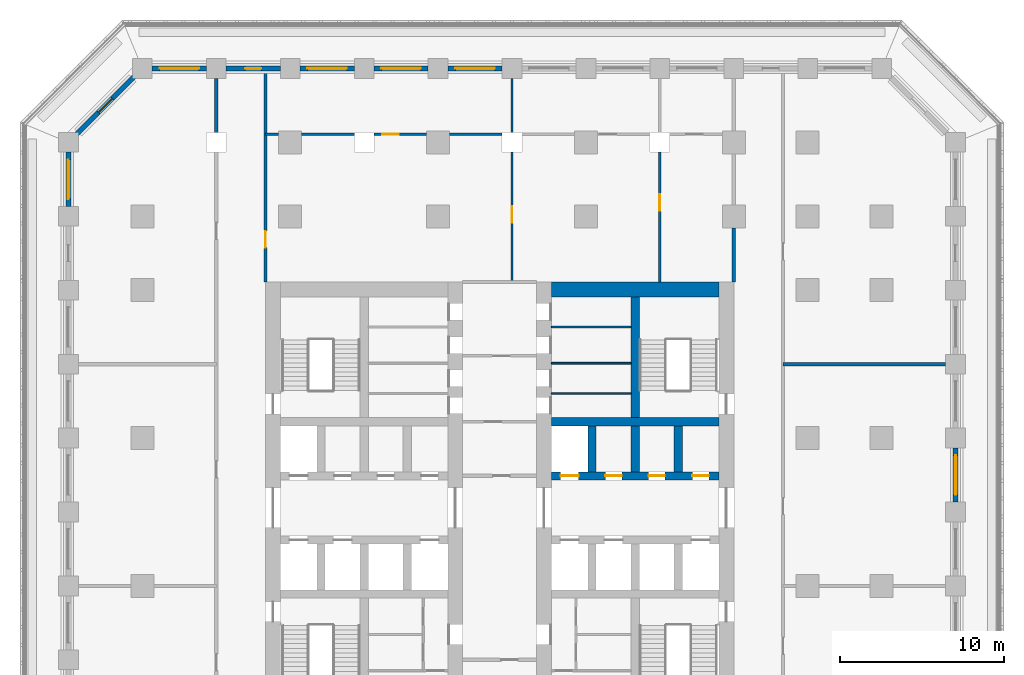
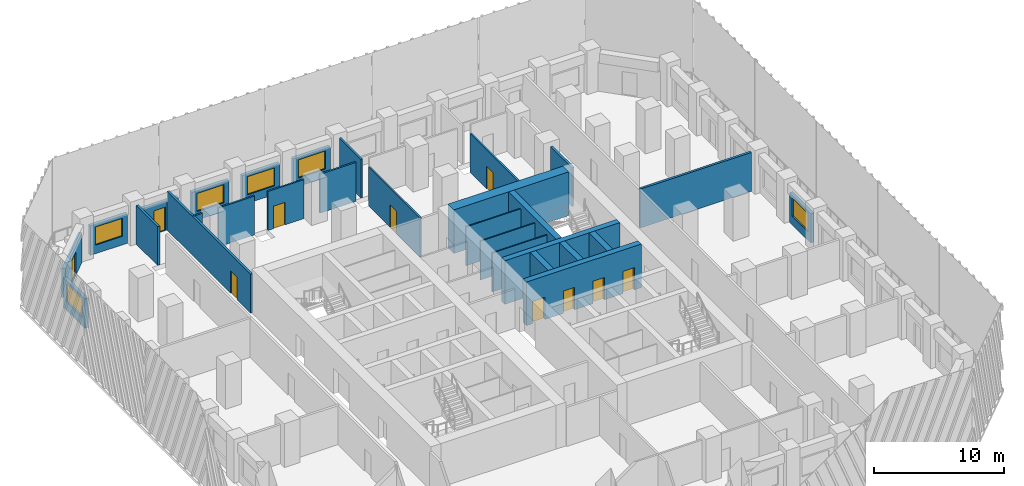
# One storey, part 7 of 19: 29 walls, 10 doors, 6 windows, 16 openings.
"""IFC4 building model written with IfcOpenShell, lengths in metres."""

from ifc_helpers import new_model, si_unit, direction, frame, frame_2d, origin, place, context, subcontext, project, spatial, rectangle, extrude, material, layer, layer_set, type_object, element, fill, save


model = new_model("IFC4")

# Units and contexts
model_context = context("Model", 3, precision=1e-05, world=origin(), true_north=direction((0.0, 1.0)))
body_context = subcontext(model_context, "Body", "Model", "MODEL_VIEW")
ifc_project = project(units=[si_unit("LENGTHUNIT", "METRE"), si_unit("AREAUNIT", "SQUARE_METRE"), si_unit("VOLUMEUNIT", "CUBIC_METRE"), si_unit("PLANEANGLEUNIT", "RADIAN"), si_unit("MASSUNIT", "GRAM", prefix="KILO")], contexts=[model_context])

# Site, building, storey
site_placement = place(None, origin())
site = spatial("IfcSite", under=ifc_project, at=site_placement, CompositionType="ELEMENT")
building_placement = place(site_placement, origin())
building = spatial("IfcBuilding", under=site, at=building_placement, Name="Corbel Stack Research Tower", CompositionType="ELEMENT")
storey_placement = place(building_placement, frame((0.0, 0.0, 82.0)))
storey = spatial("IfcBuildingStorey", under=building, at=storey_placement, Name="L18", CompositionType="ELEMENT", Elevation=82.0)

# Wall, openings, doors
ifc_material_1 = material(Name="Concrete C70/85", Category="concrete")
ifc_layer_1 = layer(ifc_material_1, 0.5)
ifc_layer_set_1 = layer_set([ifc_layer_1], Name="Concrete C70/85")
wall_type_1 = type_object("IfcWallType", Name="CW-500-70", PredefinedType="SHEAR", material=ifc_layer_set_1)
wall_1_placement = place(storey_placement, frame((6.89990234375, 6.699951171875, 0.0), z_axis=(0.0, 0.0, 1.0), x_axis=(1.0, 0.0, 0.0)))
wall_1 = element("IfcWall", 1, at=wall_1_placement, inside=storey, type_object=wall_type_1, Name="East core wall, lobby north L18", PredefinedType="SHEAR", context=body_context, shape_type="SweptSolid", body=[
    extrude(rectangle(XDim=10.2001953125, YDim=0.5, at=frame_2d((5.10009765625, 0.0))), origin(), (0.0, 0.0, 1.0), 4.10009765625),
])
opening_1_placement = place(wall_1_placement, frame((0.5625, 0.0, 0.0)))
opening_1 = element("IfcOpeningElement", 2, at=opening_1_placement, cuts=wall_1, Name="Opening LD-LR4", PredefinedType="OPENING", context=body_context, shape_type="SweptSolid", body=[
    extrude(rectangle(XDim=1.10009765625, YDim=2.10009765625, at=frame_2d((0.550048828125, 1.050048828125))), frame((0.0, 0.260009765625, 0.0), z_axis=(0.0, -1.0, 0.0), x_axis=(1.0, 0.0, 0.0)), (0.0, 0.0, 1.0), 0.52001953125),
])
opening_2_placement = place(wall_1_placement, frame((3.28759765625, 0.0, 0.0)))
opening_2 = element("IfcOpeningElement", 3, at=opening_2_placement, cuts=wall_1, Name="Opening CR-E66-N2", PredefinedType="OPENING", context=body_context, shape_type="SweptSolid", body=[
    extrude(rectangle(XDim=1.0, YDim=2.10009765625, at=frame_2d((0.5, 1.050048828125))), frame((0.0, 0.260009765625, 0.0), z_axis=(0.0, -1.0, 0.0), x_axis=(1.0, 0.0, 0.0)), (0.0, 0.0, 1.0), 0.52001953125),
])
opening_3_placement = place(wall_1_placement, frame((5.91259765625, 0.0, 0.0)))
opening_3 = element("IfcOpeningElement", 4, at=opening_3_placement, cuts=wall_1, Name="Opening CR-E66-N3", PredefinedType="OPENING", context=body_context, shape_type="SweptSolid", body=[
    extrude(rectangle(XDim=1.0, YDim=2.10009765625, at=frame_2d((0.5, 1.050048828125))), frame((0.0, 0.260009765625, 0.0), z_axis=(0.0, -1.0, 0.0), x_axis=(1.0, 0.0, 0.0)), (0.0, 0.0, 1.0), 0.52001953125),
])
opening_4_placement = place(wall_1_placement, frame((8.58740234375, 0.0, 0.0)))
opening_4 = element("IfcOpeningElement", 5, at=opening_4_placement, cuts=wall_1, Name="Opening CR-E66-N4", PredefinedType="OPENING", context=body_context, shape_type="SweptSolid", body=[
    extrude(rectangle(XDim=1.0, YDim=2.10009765625, at=frame_2d((0.5, 1.050048828125))), frame((0.0, 0.260009765625, 0.0), z_axis=(0.0, -1.0, 0.0), x_axis=(1.0, 0.0, 0.0)), (0.0, 0.0, 1.0), 0.52001953125),
])
ifc_material_2 = material(Name="Stainless steel landing door", Category="steel")
door_type_1 = type_object("IfcDoorType", Name="Lift landing door 1100 x 2100", OperationType="DOUBLE_DOOR_SLIDING", PredefinedType="DOOR", material=ifc_material_2)
door_1_placement = place(opening_1_placement, origin())
door_1 = element("IfcDoor", 6, at=door_1_placement, inside=storey, type_object=door_type_1, Name="Landing door LR4", OperationType="DOUBLE_DOOR_SLIDING", OverallHeight=2.10009765625, OverallWidth=1.10009765625, PredefinedType="DOOR", context=body_context, shape_type="SweptSolid", body=[
    extrude(rectangle(XDim=1.10009765625, YDim=2.10009765625, at=frame_2d((0.550048828125, 1.050048828125))), frame((0.0, 0.02490234375, 0.0), z_axis=(0.0, -1.0, 0.0), x_axis=(1.0, 0.0, 0.0)), (0.0, 0.0, 1.0), 0.050048828125),
])
fill(opening_1, door_1)
ifc_material_3 = material(Name="Painted steel door", Category="steel")
door_type_2 = type_object("IfcDoorType", Name="Service door 1000 x 2100 FD60 left hand", OperationType="SINGLE_SWING_LEFT", PredefinedType="DOOR", material=ifc_material_3)
door_2_placement = place(opening_3_placement, origin())
door_2 = element("IfcDoor", 7, at=door_2_placement, inside=storey, type_object=door_type_2, Name="Mechanical room door E core", OperationType="SINGLE_SWING_LEFT", OverallHeight=2.10009765625, OverallWidth=1.0, PredefinedType="DOOR", context=body_context, shape_type="SweptSolid", body=[
    extrude(rectangle(XDim=1.0, YDim=2.10009765625, at=frame_2d((0.5, 1.050048828125))), frame((0.0, 0.02490234375, 0.0), z_axis=(0.0, -1.0, 0.0), x_axis=(1.0, 0.0, 0.0)), (0.0, 0.0, 1.0), 0.050048828125),
])
fill(opening_3, door_2)
ifc_material_4 = material(Name="Painted steel door", Category="steel")
door_type_3 = type_object("IfcDoorType", Name="Service door 1000 x 2100 FD60 right hand", OperationType="SINGLE_SWING_RIGHT", PredefinedType="DOOR", material=ifc_material_4)
door_3_placement = place(opening_2_placement, origin())
door_3 = element("IfcDoor", 8, at=door_3_placement, inside=storey, type_object=door_type_3, Name="Vending bay door E core", OperationType="SINGLE_SWING_RIGHT", OverallHeight=2.10009765625, OverallWidth=1.0, PredefinedType="DOOR", context=body_context, shape_type="SweptSolid", body=[
    extrude(rectangle(XDim=1.0, YDim=2.10009765625, at=frame_2d((0.5, 1.050048828125))), frame((0.0, 0.02490234375, 0.0), z_axis=(0.0, -1.0, 0.0), x_axis=(1.0, 0.0, 0.0)), (0.0, 0.0, 1.0), 0.050048828125),
])
fill(opening_2, door_3)
door_4_placement = place(opening_4_placement, origin())
door_4 = element("IfcDoor", 9, at=door_4_placement, inside=storey, type_object=door_type_3, Name="Telecom room door E core", OperationType="SINGLE_SWING_RIGHT", OverallHeight=2.10009765625, OverallWidth=1.0, PredefinedType="DOOR", context=body_context, shape_type="SweptSolid", body=[
    extrude(rectangle(XDim=1.0, YDim=2.10009765625, at=frame_2d((0.5, 1.050048828125))), frame((0.0, 0.02490234375, 0.0), z_axis=(0.0, -1.0, 0.0), x_axis=(1.0, 0.0, 0.0)), (0.0, 0.0, 1.0), 0.050048828125),
])
fill(opening_4, door_4)

# Walls
wall_2_placement = place(storey_placement, frame((6.89990234375, 10.0, 0.0), z_axis=(0.0, 0.0, 1.0), x_axis=(1.0, 0.0, 0.0)))
element("IfcWall", 10, at=wall_2_placement, inside=storey, type_object=wall_type_1, Name="East core wall, north row back L18", PredefinedType="SHEAR", context=body_context, shape_type="SweptSolid", body=[
    extrude(rectangle(XDim=10.2001953125, YDim=0.5, at=frame_2d((5.10009765625, 0.0))), origin(), (0.0, 0.0, 1.0), 4.10009765625),
])
for number, where, z_axis, x_axis, name in (
    (11, (9.375, 6.949951171875, 0.0), (0.0, 0.0, 1.0), (0.0, 1.0, 0.0), "East core wall, north shaft 1 L18"),
    (12, (12.0, 6.949951171875, 0.0), (0.0, 0.0, 1.0), (0.0, 1.0, 0.0), "East core wall, north shaft 2 L18"),
    (13, (14.625, 6.949951171875, 0.0), (0.0, 0.0, 1.0), (0.0, 1.0, 0.0), "East core wall, north shaft 3 L18"),
):
    element("IfcWall", number, at=place(storey_placement, frame(where, z_axis=z_axis, x_axis=x_axis)), inside=storey, type_object=wall_type_1, Name=name, PredefinedType="SHEAR", context=body_context, shape_type="SweptSolid", body=[
        extrude(rectangle(XDim=2.800048828125, YDim=0.5, at=frame_2d((1.39990234375, 0.0))), origin(), (0.0, 0.0, 1.0), 4.10009765625),
    ])
wall_3_placement = place(storey_placement, frame((12.0, 10.25, 0.0), z_axis=(0.0, 0.0, 1.0), x_axis=(0.0, 1.0, 0.0)))
element("IfcWall", 14, at=wall_3_placement, inside=storey, type_object=wall_type_1, Name="East core wall, north stair and riser L18", PredefinedType="SHEAR", context=body_context, shape_type="SweptSolid", body=[
    extrude(rectangle(XDim=7.35009765625, YDim=0.5, at=frame_2d((3.675048828125, 0.0))), origin(), (0.0, 0.0, 1.0), 4.10009765625),
])
ifc_material_5 = material(Name="Concrete C70/85", Category="concrete")
ifc_layer_2 = layer(ifc_material_5, 0.89990234375)
ifc_layer_set_2 = layer_set([ifc_layer_2], Name="Concrete C70/85")
wall_type_2 = type_object("IfcWallType", Name="CW-900-70", PredefinedType="SHEAR", material=ifc_layer_set_2)
wall_4_placement = place(storey_placement, frame((6.89990234375, 18.050048828125, 0.0), z_axis=(0.0, 0.0, 1.0), x_axis=(1.0, 0.0, 0.0)))
element("IfcWall", 15, at=wall_4_placement, inside=storey, type_object=wall_type_2, Name="East core wall, north end L18", PredefinedType="SHEAR", context=body_context, shape_type="SweptSolid", body=[
    extrude(rectangle(XDim=10.2001953125, YDim=0.89990234375, at=frame_2d((5.10009765625, 0.0))), origin(), (0.0, 0.0, 1.0), 4.10009765625),
])
ifc_material_6 = material(Name="Gypsum board")
ifc_layer_3 = layer(ifc_material_6, 0.10009765625)
ifc_layer_set_3 = layer_set([ifc_layer_3], Name="Gypsum board")
wall_type_3 = type_object("IfcWallType", Name="Core partition 100", PredefinedType="PARTITIONING", material=ifc_layer_set_3)
for number, where, z_axis, x_axis, name in (
    (16, (6.89990234375, 11.719970703125, 0.0), (0.0, 0.0, 1.0), (1.0, 0.0, 0.0), "Core partition E"),
    (17, (6.89990234375, 13.5576171875, 0.0), (0.0, 0.0, 1.0), (1.0, 0.0, 0.0), "Core partition E"),
    (18, (6.89990234375, 15.762451171875, 0.0), (0.0, 0.0, 1.0), (1.0, 0.0, 0.0), "Core partition E"),
):
    element("IfcWall", number, at=place(storey_placement, frame(where, z_axis=z_axis, x_axis=x_axis)), inside=storey, type_object=wall_type_3, Name=name, PredefinedType="PARTITIONING", context=body_context, shape_type="SweptSolid", body=[
        extrude(rectangle(XDim=4.85009765625, YDim=0.10009765625, at=frame_2d((2.425048828125, 0.0))), origin(), (0.0, 0.0, 1.0), 3.64990234375),
    ])

# Wall, opening, door
ifc_material_7 = material(Name="Fire-rated gypsum board partition on steel studs", Category="steel")
ifc_layer_4 = layer(ifc_material_7, 0.14990234375)
ifc_layer_set_4 = layer_set([ifc_layer_4], Name="Fire-rated gypsum board partition on steel studs")
wall_type_4 = type_object("IfcWallType", Name="Fire-rated partition 150 EI 60", PredefinedType="PARTITIONING", material=ifc_layer_set_4)
wall_5_placement = place(storey_placement, frame((4.5, 26.39990234375, 0.0), z_axis=(0.0, 0.0, 1.0), x_axis=(0.0, -1.0, 0.0)))
wall_5 = element("IfcWall", 19, at=wall_5_placement, inside=storey, type_object=wall_type_4, Name="Partition L18-006", PredefinedType="PARTITIONING", context=body_context, shape_type="SweptSolid", body=[
    extrude(rectangle(XDim=7.89990234375, YDim=0.14990234375, at=frame_2d((3.949951171875, 0.0))), origin(), (0.0, 0.0, 1.0), 3.64990234375),
])
opening_5_placement = place(wall_5_placement, frame((3.300048828125, 0.0, 0.0)))
opening_5 = element("IfcOpeningElement", 20, at=opening_5_placement, cuts=wall_5, Name="Opening B3V0H-012", PredefinedType="OPENING", context=body_context, shape_type="SweptSolid", body=[
    extrude(rectangle(XDim=1.0, YDim=2.10009765625, at=frame_2d((0.5, 1.050048828125))), frame((0.0, 0.0849609375, 0.0), z_axis=(0.0, -1.0, 0.0), x_axis=(1.0, 0.0, 0.0)), (0.0, 0.0, 1.0), 0.169921875),
])
ifc_material_8 = material(Name="Painted steel fire door", Category="steel")
door_type_4 = type_object("IfcDoorType", Name="Fire door FD30S 1000 x 2100", OperationType="NOTDEFINED", PredefinedType="DOOR", material=ifc_material_8)
door_5_placement = place(opening_5_placement, origin())
door_5 = element("IfcDoor", 21, at=door_5_placement, inside=storey, type_object=door_type_4, Name="Door B3V0H-012", OperationType="SINGLE_SWING_LEFT", OverallHeight=2.10009765625, OverallWidth=1.0, PredefinedType="DOOR", context=body_context, shape_type="SweptSolid", body=[
    extrude(rectangle(XDim=1.0, YDim=2.10009765625, at=frame_2d((0.5, 1.050048828125))), frame((0.0, 0.02490234375, 0.0), z_axis=(0.0, -1.0, 0.0), x_axis=(1.0, 0.0, 0.0)), (0.0, 0.0, 1.0), 0.050048828125),
])
fill(opening_5, door_5)

wall_6_placement = place(storey_placement, frame((13.5, 26.39990234375, 0.0), z_axis=(0.0, 0.0, 1.0), x_axis=(0.0, -1.0, 0.0)))
wall_6 = element("IfcWall", 22, at=wall_6_placement, inside=storey, type_object=wall_type_4, Name="Partition L18-008", PredefinedType="PARTITIONING", context=body_context, shape_type="SweptSolid", body=[
    extrude(rectangle(XDim=7.89990234375, YDim=0.14990234375, at=frame_2d((3.949951171875, 0.0))), origin(), (0.0, 0.0, 1.0), 3.64990234375),
])
opening_6_placement = place(wall_6_placement, frame((2.550048828125, 0.0, 0.0)))
opening_6 = element("IfcOpeningElement", 23, at=opening_6_placement, cuts=wall_6, Name="Opening B3V0H-015", PredefinedType="OPENING", context=body_context, shape_type="SweptSolid", body=[
    extrude(rectangle(XDim=1.0, YDim=2.10009765625, at=frame_2d((0.5, 1.050048828125))), frame((0.0, 0.0849609375, 0.0), z_axis=(0.0, -1.0, 0.0), x_axis=(1.0, 0.0, 0.0)), (0.0, 0.0, 1.0), 0.169921875),
])
door_6_placement = place(opening_6_placement, origin())
door_6 = element("IfcDoor", 24, at=door_6_placement, inside=storey, type_object=door_type_4, Name="Door B3V0H-015", OperationType="SINGLE_SWING_LEFT", OverallHeight=2.10009765625, OverallWidth=1.0, PredefinedType="DOOR", context=body_context, shape_type="SweptSolid", body=[
    extrude(rectangle(XDim=1.0, YDim=2.10009765625, at=frame_2d((0.5, 1.050048828125))), frame((0.0, 0.02490234375, 0.0), z_axis=(0.0, -1.0, 0.0), x_axis=(1.0, 0.0, 0.0)), (0.0, 0.0, 1.0), 0.050048828125),
])
fill(opening_6, door_6)

# Wall
ifc_material_9 = material(Name="Fire-rated gypsum board partition on steel studs", Category="steel")
ifc_layer_5 = layer(ifc_material_9, 0.199951171875)
ifc_layer_set_5 = layer_set([ifc_layer_5], Name="Fire-rated gypsum board partition on steel studs")
wall_type_5 = type_object("IfcWallType", Name="Fire-rated partition 200 EI 60", PredefinedType="PARTITIONING", material=ifc_layer_set_5)
wall_7_placement = place(storey_placement, frame((-13.5, 27.60009765625, 0.0), z_axis=(0.0, 0.0, 1.0), x_axis=(0.0, 1.0, 0.0)))
element("IfcWall", 25, at=wall_7_placement, inside=storey, type_object=wall_type_5, Name="Partition L18-002", PredefinedType="PARTITIONING", context=body_context, shape_type="SweptSolid", body=[
    extrude(rectangle(XDim=3.2998046875, YDim=0.199951171875, at=frame_2d((1.64990234375, 0.0))), origin(), (0.0, 0.0, 1.0), 3.64990234375),
])

# Wall, opening, door
wall_8_placement = place(storey_placement, frame((-10.5, 31.35009765625, 0.0), z_axis=(0.0, 0.0, 1.0), x_axis=(0.0, -1.0, 0.0)))
wall_8 = element("IfcWall", 26, at=wall_8_placement, inside=storey, type_object=wall_type_5, Name="Partition L18-004", PredefinedType="PARTITIONING", context=body_context, shape_type="SweptSolid", body=[
    extrude(rectangle(XDim=12.85009765625, YDim=0.199951171875, at=frame_2d((6.425048828125, 0.0))), origin(), (0.0, 0.0, 1.0), 3.64990234375),
])
opening_7_placement = place(wall_8_placement, frame((9.75, 0.0, 0.0)))
opening_7 = element("IfcOpeningElement", 27, at=opening_7_placement, cuts=wall_8, Name="Opening B3V0H-009", PredefinedType="OPENING", context=body_context, shape_type="SweptSolid", body=[
    extrude(rectangle(XDim=1.0, YDim=2.10009765625, at=frame_2d((0.5, 1.050048828125))), frame((0.0, 0.10986328125, 0.0), z_axis=(0.0, -1.0, 0.0), x_axis=(1.0, 0.0, 0.0)), (0.0, 0.0, 1.0), 0.219970703125),
])
door_7_placement = place(opening_7_placement, origin())
door_7 = element("IfcDoor", 28, at=door_7_placement, inside=storey, type_object=door_type_4, Name="Door B3V0H-009", OperationType="SINGLE_SWING_RIGHT", OverallHeight=2.10009765625, OverallWidth=1.0, PredefinedType="DOOR", context=body_context, shape_type="SweptSolid", body=[
    extrude(rectangle(XDim=1.0, YDim=2.10009765625, at=frame_2d((0.5, 1.050048828125))), frame((0.0, 0.02490234375, 0.0), z_axis=(0.0, -1.0, 0.0), x_axis=(1.0, 0.0, 0.0)), (0.0, 0.0, 1.0), 0.050048828125),
])
fill(opening_7, door_7)

# Walls
wall_9_placement = place(storey_placement, frame((18.0, 18.5, 0.0), z_axis=(0.0, 0.0, 1.0), x_axis=(0.0, 1.0, 0.0)))
element("IfcWall", 29, at=wall_9_placement, inside=storey, type_object=wall_type_5, Name="Partition L18-013", PredefinedType="PARTITIONING", context=body_context, shape_type="SweptSolid", body=[
    extrude(rectangle(XDim=3.300048828125, YDim=0.199951171875, at=frame_2d((1.64990234375, 0.0))), origin(), (0.0, 0.0, 1.0), 3.64990234375),
])
wall_10_placement = place(storey_placement, frame((21.0, 13.5, 0.0), z_axis=(0.0, 0.0, 1.0), x_axis=(1.0, 0.0, 0.0)))
element("IfcWall", 30, at=wall_10_placement, inside=storey, type_object=wall_type_5, Name="Partition L18-036", PredefinedType="PARTITIONING", context=body_context, shape_type="SweptSolid", body=[
    extrude(rectangle(XDim=9.89990234375, YDim=0.199951171875, at=frame_2d((4.949951171875, 0.0))), origin(), (0.0, 0.0, 1.0), 3.64990234375),
])
ifc_material_10 = material(Name="Gypsum board partition on steel studs", Category="steel")
ifc_layer_6 = layer(ifc_material_10, 0.14990234375)
ifc_layer_set_6 = layer_set([ifc_layer_6], Name="Gypsum board partition on steel studs")
wall_type_6 = type_object("IfcWallType", Name="Partition 150", PredefinedType="PARTITIONING", material=ifc_layer_set_6)
wall_11_placement = place(storey_placement, frame((4.5, 27.60009765625, 0.0), z_axis=(0.0, 0.0, 1.0), x_axis=(0.0, 1.0, 0.0)))
element("IfcWall", 31, at=wall_11_placement, inside=storey, type_object=wall_type_6, Name="Partition L18-007", PredefinedType="PARTITIONING", context=body_context, shape_type="SweptSolid", body=[
    extrude(rectangle(XDim=3.2998046875, YDim=0.14990234375, at=frame_2d((1.64990234375, 0.0))), origin(), (0.0, 0.0, 1.0), 3.64990234375),
])
wall_12_placement = place(storey_placement, frame((-10.5, 27.5, 0.0), z_axis=(0.0, 0.0, 1.0), x_axis=(1.0, 0.0, 0.0)))
element("IfcWall", 32, at=wall_12_placement, inside=storey, type_object=wall_type_6, Name="Partition L18-039", PredefinedType="PARTITIONING", context=body_context, shape_type="SweptSolid", body=[
    extrude(rectangle(XDim=0.800048828125, YDim=0.14990234375, at=frame_2d((0.39990234375, 0.0))), origin(), (0.0, 0.0, 1.0), 3.64990234375),
])
wall_13_placement = place(storey_placement, frame((-8.300048828125, 27.5, 0.0), z_axis=(0.0, 0.0, 1.0), x_axis=(1.0, 0.0, 0.0)))
element("IfcWall", 33, at=wall_13_placement, inside=storey, type_object=wall_type_6, Name="Partition L18-040", PredefinedType="PARTITIONING", context=body_context, shape_type="SweptSolid", body=[
    extrude(rectangle(XDim=3.199951171875, YDim=0.14990234375, at=frame_2d((1.60009765625, 0.0))), origin(), (0.0, 0.0, 1.0), 3.64990234375),
])

# Wall, opening, door
wall_14_placement = place(storey_placement, frame((-3.89990234375, 27.5, 0.0), z_axis=(0.0, 0.0, 1.0), x_axis=(1.0, 0.0, 0.0)))
wall_14 = element("IfcWall", 34, at=wall_14_placement, inside=storey, type_object=wall_type_6, Name="Partition L18-041", PredefinedType="PARTITIONING", context=body_context, shape_type="SweptSolid", body=[
    extrude(rectangle(XDim=3.199951171875, YDim=0.14990234375, at=frame_2d((1.60009765625, 0.0))), origin(), (0.0, 0.0, 1.0), 3.64990234375),
])
opening_8_placement = place(wall_14_placement, frame((0.5, 0.0, 0.0)))
opening_8 = element("IfcOpeningElement", 35, at=opening_8_placement, cuts=wall_14, Name="Opening B3V0H-022", PredefinedType="OPENING", context=body_context, shape_type="SweptSolid", body=[
    extrude(rectangle(XDim=1.0, YDim=2.10009765625, at=frame_2d((0.5, 1.050048828125))), frame((0.0, 0.0849609375, 0.0), z_axis=(0.0, -1.0, 0.0), x_axis=(1.0, 0.0, 0.0)), (0.0, 0.0, 1.0), 0.169921875),
])
ifc_material_11 = material(Name="Painted timber door", Category="wood")
door_type_5 = type_object("IfcDoorType", Name="Single door 1000 x 2100", OperationType="NOTDEFINED", PredefinedType="DOOR", material=ifc_material_11)
door_8_placement = place(opening_8_placement, origin())
door_8 = element("IfcDoor", 36, at=door_8_placement, inside=storey, type_object=door_type_5, Name="Door B3V0H-022", OperationType="SINGLE_SWING_LEFT", OverallHeight=2.10009765625, OverallWidth=1.0, PredefinedType="DOOR", context=body_context, shape_type="SweptSolid", body=[
    extrude(rectangle(XDim=1.0, YDim=2.10009765625, at=frame_2d((0.5, 1.050048828125))), frame((0.0, 0.02490234375, 0.0), z_axis=(0.0, -1.0, 0.0), x_axis=(1.0, 0.0, 0.0)), (0.0, 0.0, 1.0), 0.050048828125),
])
fill(opening_8, door_8)

# Wall
wall_15_placement = place(storey_placement, frame((0.699951171875, 27.5, 0.0), z_axis=(0.0, 0.0, 1.0), x_axis=(1.0, 0.0, 0.0)))
element("IfcWall", 37, at=wall_15_placement, inside=storey, type_object=wall_type_6, Name="Partition L18-042", PredefinedType="PARTITIONING", context=body_context, shape_type="SweptSolid", body=[
    extrude(rectangle(XDim=3.199951171875, YDim=0.14990234375, at=frame_2d((1.60009765625, 0.0))), origin(), (0.0, 0.0, 1.0), 3.64990234375),
])

# Wall, opening, window
ifc_material_12 = material(Name="Concrete C45/55", Category="concrete")
ifc_layer_7 = layer(ifc_material_12, 0.300048828125)
ifc_layer_set_7 = layer_set([ifc_layer_7], Name="Concrete C45/55")
wall_type_7 = type_object("IfcWallType", Name="Terracotta-faced concrete wall 300", PredefinedType="SOLIDWALL", material=ifc_layer_set_7)
wall_16_placement = place(storey_placement, frame((31.5, 8.39990234375, 0.0), z_axis=(0.0, 0.0, 1.0), x_axis=(0.0, -1.0, 0.0)))
wall_16 = element("IfcWall", 38, at=wall_16_placement, inside=storey, type_object=wall_type_7, Name="Facade wall L18 E06", PredefinedType="SOLIDWALL", context=body_context, shape_type="SweptSolid", body=[
    extrude(rectangle(XDim=3.2998046875, YDim=0.300048828125, at=frame_2d((1.64990234375, 0.0))), origin(), (0.0, 0.0, 1.0), 2.75),
])
opening_9_placement = place(wall_16_placement, frame((0.449951171875, 0.0, 0.800048828125)))
opening_9 = element("IfcOpeningElement", 39, at=opening_9_placement, cuts=wall_16, Name="Opening W1", PredefinedType="OPENING", context=body_context, shape_type="SweptSolid", body=[
    extrude(rectangle(XDim=2.39990234375, YDim=1.699951171875, at=frame_2d((1.199951171875, 0.85009765625))), frame((0.0, 0.159912109375, 0.0), z_axis=(0.0, -1.0, 0.0), x_axis=(1.0, 0.0, 0.0)), (0.0, 0.0, 1.0), 0.320068359375),
])
ifc_material_13 = material(Name="Aluminium frame, clear double glazing", Category="aluminium")
window_type = type_object("IfcWindowType", Name="Window W1 2400 x 1700", PartitioningType="SINGLE_PANEL", PredefinedType="WINDOW", material=ifc_material_13)
window_1_placement = place(opening_9_placement, origin())
window_1 = element("IfcWindow", 40, at=window_1_placement, inside=storey, type_object=window_type, Name="Window W1 L18 E06", OverallHeight=1.699951171875, OverallWidth=2.39990234375, PartitioningType="SINGLE_PANEL", PredefinedType="WINDOW", context=body_context, shape_type="SweptSolid", body=[
    extrude(rectangle(XDim=2.39990234375, YDim=1.699951171875, at=frame_2d((1.199951171875, 0.85009765625))), frame((0.0, 0.030029296875, 0.0), z_axis=(0.0, -1.0, 0.0), x_axis=(1.0, 0.0, 0.0)), (0.0, 0.0, 1.0), 0.06005859375),
])
fill(opening_9, window_1)

wall_17_placement = place(storey_placement, frame((0.60009765625, 31.5, 0.0), z_axis=(0.0, 0.0, 1.0), x_axis=(1.0, 0.0, 0.0)))
wall_17 = element("IfcWall", 41, at=wall_17_placement, inside=storey, type_object=wall_type_7, Name="Facade wall L18 N06", PredefinedType="SOLIDWALL", context=body_context, shape_type="SweptSolid", body=[
    extrude(rectangle(XDim=3.2998046875, YDim=0.300048828125, at=frame_2d((1.64990234375, 0.0))), origin(), (0.0, 0.0, 1.0), 2.75),
])
opening_10_placement = place(wall_17_placement, frame((0.449951171875, 0.0, 0.800048828125)))
opening_10 = element("IfcOpeningElement", 42, at=opening_10_placement, cuts=wall_17, Name="Opening W1", PredefinedType="OPENING", context=body_context, shape_type="SweptSolid", body=[
    extrude(rectangle(XDim=2.39990234375, YDim=1.699951171875, at=frame_2d((1.199951171875, 0.85009765625))), frame((0.0, 0.159912109375, 0.0), z_axis=(0.0, -1.0, 0.0), x_axis=(1.0, 0.0, 0.0)), (0.0, 0.0, 1.0), 0.320068359375),
])
window_2_placement = place(opening_10_placement, origin())
window_2 = element("IfcWindow", 43, at=window_2_placement, inside=storey, type_object=window_type, Name="Window W1 L18 N06", OverallHeight=1.699951171875, OverallWidth=2.39990234375, PartitioningType="SINGLE_PANEL", PredefinedType="WINDOW", context=body_context, shape_type="SweptSolid", body=[
    extrude(rectangle(XDim=2.39990234375, YDim=1.699951171875, at=frame_2d((1.199951171875, 0.85009765625))), frame((0.0, 0.030029296875, 0.0), z_axis=(0.0, -1.0, 0.0), x_axis=(1.0, 0.0, 0.0)), (0.0, 0.0, 1.0), 0.06005859375),
])
fill(opening_10, window_2)

wall_18_placement = place(storey_placement, frame((-3.89990234375, 31.5, 0.0), z_axis=(0.0, 0.0, 1.0), x_axis=(1.0, 0.0, 0.0)))
wall_18 = element("IfcWall", 44, at=wall_18_placement, inside=storey, type_object=wall_type_7, Name="Facade wall L18 N07", PredefinedType="SOLIDWALL", context=body_context, shape_type="SweptSolid", body=[
    extrude(rectangle(XDim=3.2998046875, YDim=0.300048828125, at=frame_2d((1.64990234375, 0.0))), origin(), (0.0, 0.0, 1.0), 2.75),
])
opening_11_placement = place(wall_18_placement, frame((0.449951171875, 0.0, 0.800048828125)))
opening_11 = element("IfcOpeningElement", 45, at=opening_11_placement, cuts=wall_18, Name="Opening W1", PredefinedType="OPENING", context=body_context, shape_type="SweptSolid", body=[
    extrude(rectangle(XDim=2.39990234375, YDim=1.699951171875, at=frame_2d((1.199951171875, 0.85009765625))), frame((0.0, 0.159912109375, 0.0), z_axis=(0.0, -1.0, 0.0), x_axis=(1.0, 0.0, 0.0)), (0.0, 0.0, 1.0), 0.320068359375),
])
window_3_placement = place(opening_11_placement, origin())
window_3 = element("IfcWindow", 46, at=window_3_placement, inside=storey, type_object=window_type, Name="Window W1 L18 N07", OverallHeight=1.699951171875, OverallWidth=2.39990234375, PartitioningType="SINGLE_PANEL", PredefinedType="WINDOW", context=body_context, shape_type="SweptSolid", body=[
    extrude(rectangle(XDim=2.39990234375, YDim=1.699951171875, at=frame_2d((1.199951171875, 0.85009765625))), frame((0.0, 0.030029296875, 0.0), z_axis=(0.0, -1.0, 0.0), x_axis=(1.0, 0.0, 0.0)), (0.0, 0.0, 1.0), 0.06005859375),
])
fill(opening_11, window_3)

wall_19_placement = place(storey_placement, frame((-8.39990234375, 31.5, 0.0), z_axis=(0.0, 0.0, 1.0), x_axis=(1.0, 0.0, 0.0)))
wall_19 = element("IfcWall", 47, at=wall_19_placement, inside=storey, type_object=wall_type_7, Name="Facade wall L18 N08", PredefinedType="SOLIDWALL", context=body_context, shape_type="SweptSolid", body=[
    extrude(rectangle(XDim=3.2998046875, YDim=0.300048828125, at=frame_2d((1.64990234375, 0.0))), origin(), (0.0, 0.0, 1.0), 2.75),
])
opening_12_placement = place(wall_19_placement, frame((0.449951171875, 0.0, 0.800048828125)))
opening_12 = element("IfcOpeningElement", 48, at=opening_12_placement, cuts=wall_19, Name="Opening W1", PredefinedType="OPENING", context=body_context, shape_type="SweptSolid", body=[
    extrude(rectangle(XDim=2.39990234375, YDim=1.699951171875, at=frame_2d((1.199951171875, 0.85009765625))), frame((0.0, 0.159912109375, 0.0), z_axis=(0.0, -1.0, 0.0), x_axis=(1.0, 0.0, 0.0)), (0.0, 0.0, 1.0), 0.320068359375),
])
window_4_placement = place(opening_12_placement, origin())
window_4 = element("IfcWindow", 49, at=window_4_placement, inside=storey, type_object=window_type, Name="Window W1 L18 N08", OverallHeight=1.699951171875, OverallWidth=2.39990234375, PartitioningType="SINGLE_PANEL", PredefinedType="WINDOW", context=body_context, shape_type="SweptSolid", body=[
    extrude(rectangle(XDim=2.39990234375, YDim=1.699951171875, at=frame_2d((1.199951171875, 0.85009765625))), frame((0.0, 0.030029296875, 0.0), z_axis=(0.0, -1.0, 0.0), x_axis=(1.0, 0.0, 0.0)), (0.0, 0.0, 1.0), 0.06005859375),
])
fill(opening_12, window_4)

# Wall, opening, door
wall_20_placement = place(storey_placement, frame((-12.89990234375, 31.5, 0.0), z_axis=(0.0, 0.0, 1.0), x_axis=(1.0, 0.0, 0.0)))
wall_20 = element("IfcWall", 50, at=wall_20_placement, inside=storey, type_object=wall_type_7, Name="Facade wall L18 N09", PredefinedType="SOLIDWALL", context=body_context, shape_type="SweptSolid", body=[
    extrude(rectangle(XDim=3.2998046875, YDim=0.300048828125, at=frame_2d((1.64990234375, 0.0))), origin(), (0.0, 0.0, 1.0), 2.75),
])
opening_13_placement = place(wall_20_placement, frame((1.14990234375, 0.0, 0.0)))
opening_13 = element("IfcOpeningElement", 51, at=opening_13_placement, cuts=wall_20, Name="Opening L18-B08", PredefinedType="OPENING", context=body_context, shape_type="SweptSolid", body=[
    extrude(rectangle(XDim=1.0, YDim=2.199951171875, at=frame_2d((0.5, 1.10009765625))), frame((0.0, 0.159912109375, 0.0), z_axis=(0.0, -1.0, 0.0), x_axis=(1.0, 0.0, 0.0)), (0.0, 0.0, 1.0), 0.320068359375),
])
ifc_material_14 = material(Name="Aluminium frame, clear double glazing", Category="aluminium")
door_type_6 = type_object("IfcDoorType", Name="Balcony door BD1 1000 x 2200", OperationType="NOTDEFINED", PredefinedType="DOOR", material=ifc_material_14)
door_9_placement = place(opening_13_placement, origin())
door_9 = element("IfcDoor", 52, at=door_9_placement, inside=storey, type_object=door_type_6, Name="Balcony door L18-B08", OperationType="SINGLE_SWING_LEFT", OverallHeight=2.199951171875, OverallWidth=1.0, PredefinedType="DOOR", context=body_context, shape_type="SweptSolid", body=[
    extrude(rectangle(XDim=1.0, YDim=2.199951171875, at=frame_2d((0.5, 1.10009765625))), frame((0.0, 0.02490234375, 0.0), z_axis=(0.0, -1.0, 0.0), x_axis=(1.0, 0.0, 0.0)), (0.0, 0.0, 1.0), 0.050048828125),
])
fill(opening_13, door_9)

# Wall, opening, window
wall_21_placement = place(storey_placement, frame((-17.39990234375, 31.5, 0.0), z_axis=(0.0, 0.0, 1.0), x_axis=(1.0, 0.0, 0.0)))
wall_21 = element("IfcWall", 53, at=wall_21_placement, inside=storey, type_object=wall_type_7, Name="Facade wall L18 N10", PredefinedType="SOLIDWALL", context=body_context, shape_type="SweptSolid", body=[
    extrude(rectangle(XDim=3.2998046875, YDim=0.300048828125, at=frame_2d((1.64990234375, 0.0))), origin(), (0.0, 0.0, 1.0), 2.75),
])
opening_14_placement = place(wall_21_placement, frame((0.449951171875, 0.0, 0.800048828125)))
opening_14 = element("IfcOpeningElement", 54, at=opening_14_placement, cuts=wall_21, Name="Opening W1", PredefinedType="OPENING", context=body_context, shape_type="SweptSolid", body=[
    extrude(rectangle(XDim=2.39990234375, YDim=1.699951171875, at=frame_2d((1.199951171875, 0.85009765625))), frame((0.0, 0.159912109375, 0.0), z_axis=(0.0, -1.0, 0.0), x_axis=(1.0, 0.0, 0.0)), (0.0, 0.0, 1.0), 0.320068359375),
])
window_5_placement = place(opening_14_placement, origin())
window_5 = element("IfcWindow", 55, at=window_5_placement, inside=storey, type_object=window_type, Name="Window W1 L18 N10", OverallHeight=1.699951171875, OverallWidth=2.39990234375, PartitioningType="SINGLE_PANEL", PredefinedType="WINDOW", context=body_context, shape_type="SweptSolid", body=[
    extrude(rectangle(XDim=2.39990234375, YDim=1.699951171875, at=frame_2d((1.199951171875, 0.85009765625))), frame((0.0, 0.030029296875, 0.0), z_axis=(0.0, -1.0, 0.0), x_axis=(1.0, 0.0, 0.0)), (0.0, 0.0, 1.0), 0.06005859375),
])
fill(opening_14, window_5)

# Wall, opening, door
wall_22_placement = place(storey_placement, frame((-22.006103515625, 27.493896484375, 0.0), z_axis=(0.0, 0.0, 1.0), x_axis=(0.707106781187, 0.707106781187, 0.0)))
wall_22 = element("IfcWall", 56, at=wall_22_placement, inside=storey, type_object=wall_type_7, Name="Facade wall L18 NW01", PredefinedType="SOLIDWALL", context=body_context, shape_type="SweptSolid", body=[
    extrude(rectangle(XDim=4.967041015625, YDim=0.300048828125, at=frame_2d((2.4833984375, 0.0))), origin(), (0.0, 0.0, 1.0), 2.75),
])
opening_15_placement = place(wall_22_placement, frame((1.883544921875, 0.0, 0.0)))
opening_15 = element("IfcOpeningElement", 57, at=opening_15_placement, cuts=wall_22, Name="Opening L18-B09", PredefinedType="OPENING", context=body_context, shape_type="SweptSolid", body=[
    extrude(rectangle(XDim=1.199951171875, YDim=2.199951171875, at=frame_2d((0.60009765625, 1.10009765625))), frame((0.0, 0.159912109375, 0.0), z_axis=(0.0, -1.0, 0.0), x_axis=(1.0, 0.0, 0.0)), (0.0, 0.0, 1.0), 0.320068359375),
])
ifc_material_15 = material(Name="Aluminium frame, clear double glazing", Category="aluminium")
door_type_7 = type_object("IfcDoorType", Name="Balcony door BD2 1200 x 2200", OperationType="NOTDEFINED", PredefinedType="DOOR", material=ifc_material_15)
door_10_placement = place(opening_15_placement, origin())
door_10 = element("IfcDoor", 58, at=door_10_placement, inside=storey, type_object=door_type_7, Name="Balcony door L18-B09", OperationType="SINGLE_SWING_LEFT", OverallHeight=2.199951171875, OverallWidth=1.199951171875, PredefinedType="DOOR", context=body_context, shape_type="SweptSolid", body=[
    extrude(rectangle(XDim=1.199951171875, YDim=2.199951171875, at=frame_2d((0.60009765625, 1.10009765625))), frame((0.0, 0.02490234375, 0.0), z_axis=(0.0, -1.0, 0.0), x_axis=(1.0, 0.0, 0.0)), (0.0, 0.0, 1.0), 0.050048828125),
])
fill(opening_15, door_10)

# Wall, opening, window
wall_23_placement = place(storey_placement, frame((-22.5, 23.10009765625, 0.0), z_axis=(0.0, 0.0, 1.0), x_axis=(0.0, 1.0, 0.0)))
wall_23 = element("IfcWall", 59, at=wall_23_placement, inside=storey, type_object=wall_type_7, Name="Facade wall L18 W01", PredefinedType="SOLIDWALL", context=body_context, shape_type="SweptSolid", body=[
    extrude(rectangle(XDim=3.2998046875, YDim=0.300048828125, at=frame_2d((1.64990234375, 0.0))), origin(), (0.0, 0.0, 1.0), 2.75),
])
opening_16_placement = place(wall_23_placement, frame((0.449951171875, 0.0, 0.800048828125)))
opening_16 = element("IfcOpeningElement", 60, at=opening_16_placement, cuts=wall_23, Name="Opening W1", PredefinedType="OPENING", context=body_context, shape_type="SweptSolid", body=[
    extrude(rectangle(XDim=2.39990234375, YDim=1.699951171875, at=frame_2d((1.199951171875, 0.85009765625))), frame((0.0, 0.159912109375, 0.0), z_axis=(0.0, -1.0, 0.0), x_axis=(1.0, 0.0, 0.0)), (0.0, 0.0, 1.0), 0.320068359375),
])
window_6_placement = place(opening_16_placement, origin())
window_6 = element("IfcWindow", 61, at=window_6_placement, inside=storey, type_object=window_type, Name="Window W1 L18 W01", OverallHeight=1.699951171875, OverallWidth=2.39990234375, PartitioningType="SINGLE_PANEL", PredefinedType="WINDOW", context=body_context, shape_type="SweptSolid", body=[
    extrude(rectangle(XDim=2.39990234375, YDim=1.699951171875, at=frame_2d((1.199951171875, 0.85009765625))), frame((0.0, 0.030029296875, 0.0), z_axis=(0.0, -1.0, 0.0), x_axis=(1.0, 0.0, 0.0)), (0.0, 0.0, 1.0), 0.06005859375),
])
fill(opening_16, window_6)

save(model, "model.ifc")
